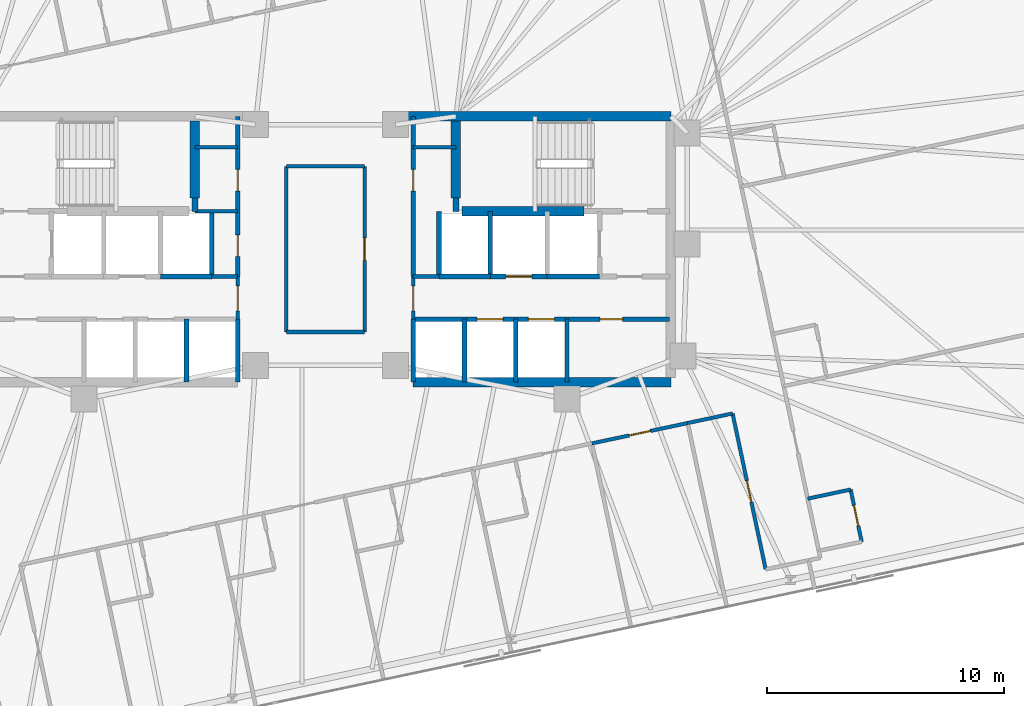
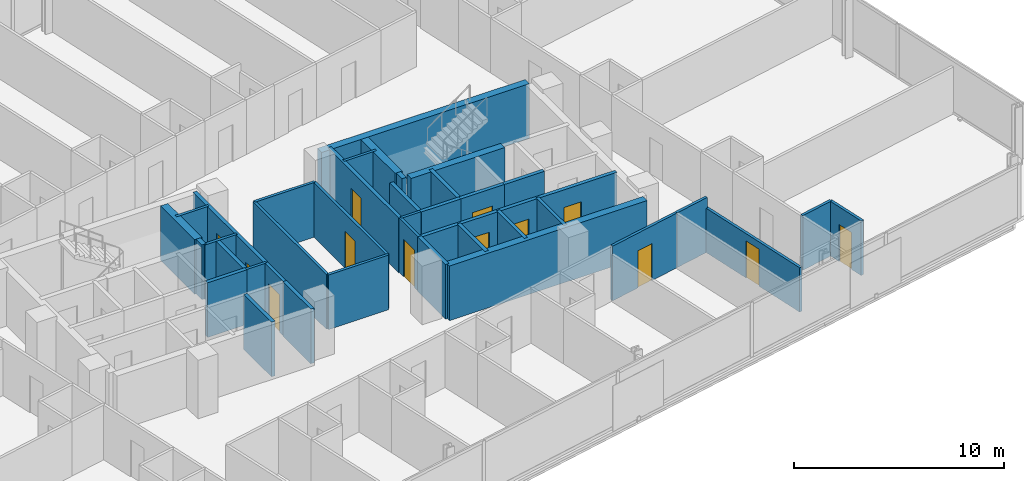
# One storey, part 16 of 20: 39 walls, 13 doors, 13 openings.
"""IFC4 building model written with IfcOpenShell, lengths in metres."""

import ifcopenshell
import ifcopenshell.guid

model = None  # the IFC model being written
_history = None  # IfcOwnerHistory: only IFC2X3 demands one
_inside = {}  # id of a spatial element -> (the spatial element, [elements in it])
_under = {}  # id of a project, library or spatial element -> (it, [spatial elements below it])
_declared = {}  # id of a project -> (the project, [libraries it declares])
_typed = {}  # id of a type object -> (the type object, [elements of that type])
_made_of = {}  # id of a material, layer set ... -> (it, [elements and type objects made of it])


def new_model(schema):
    """Start an empty IFC model of exactly this schema.

    Asked for "IFC4X3", IfcOpenShell would pick the latest addendum, in which some entities
    have other attributes; the version numbers below select the first issue.
    IFC2X3 requires an IfcOwnerHistory on every rooted entity: one is made here for all.
    """
    global model, _history
    if schema == "IFC4X3":
        model = ifcopenshell.file(schema_version=(4, 3, 0, 0))
    else:
        model = ifcopenshell.file(schema=schema)
    _inside.clear()
    _under.clear()
    _declared.clear()
    _typed.clear()
    _made_of.clear()
    _history = None
    if model.schema == "IFC2X3":
        org = make("IfcOrganization", Name="unknown")
        user = make(
            "IfcPersonAndOrganization",
            ThePerson=make("IfcPerson", FamilyName="unknown"),
            TheOrganization=org,
        )
        app = make(
            "IfcApplication",
            ApplicationDeveloper=org,
            Version="unknown",
            ApplicationFullName="unknown",
            ApplicationIdentifier="unknown",
        )
        _history = make(
            "IfcOwnerHistory",
            OwningUser=user,
            OwningApplication=app,
            ChangeAction="ADDED",
            CreationDate=0,
        )
    return model


def make(cls, **values):
    """One entity of the class cls with the attributes given. An attribute that is None is left unset."""
    return model.create_entity(
        cls, **{name: value for name, value in values.items() if value is not None}
    )


def rooted(cls, **values):
    """An entity with a GlobalId (a new one), such as an element, a storey or a relation."""
    return make(cls, GlobalId=ifcopenshell.guid.new(), OwnerHistory=_history, **values)


def si_unit(unit_type, name, prefix=None):
    """IfcSIUnit, for example si_unit("LENGTHUNIT", "METRE", prefix="MILLI")."""
    return make("IfcSIUnit", UnitType=unit_type, Prefix=prefix, Name=name)


def assignment(units):
    """IfcUnitAssignment: the units of a project."""
    return None if units is None else make("IfcUnitAssignment", Units=units)


def point(xyz):
    """IfcCartesianPoint."""
    return None if xyz is None else make("IfcCartesianPoint", Coordinates=xyz)


def direction(xyz):
    """IfcDirection."""
    return None if xyz is None else make("IfcDirection", DirectionRatios=xyz)


def frame(location, z_axis=None, x_axis=None):
    """IfcAxis2Placement3D, a coordinate frame: its origin and axes. An axis left out is left unset."""
    return make(
        "IfcAxis2Placement3D",
        Location=point(location),
        Axis=direction(z_axis),
        RefDirection=direction(x_axis),
    )


def frame_2d(location, x_axis=None):
    """IfcAxis2Placement2D, a coordinate frame in the plane: its origin and x axis."""
    return make(
        "IfcAxis2Placement2D", Location=point(location), RefDirection=direction(x_axis)
    )


def origin():
    """The frame at (0, 0, 0) with its axes left unset."""
    return frame((0.0, 0.0, 0.0))


def place(relative_to, where):
    """IfcLocalPlacement: puts the frame where relative to a parent placement (None: the world)."""
    return make(
        "IfcLocalPlacement", PlacementRelTo=relative_to, RelativePlacement=where
    )


def context(
    kind, dimensions, precision=None, world=None, true_north=None, identifier=None
):
    """IfcGeometricRepresentationContext, for example the 3D "Model" context."""
    return make(
        "IfcGeometricRepresentationContext",
        ContextIdentifier=identifier,
        ContextType=kind,
        CoordinateSpaceDimension=dimensions,
        Precision=precision,
        WorldCoordinateSystem=world,
        TrueNorth=true_north,
    )


def subcontext(parent, identifier, kind, view, scale=None):
    """IfcGeometricRepresentationSubContext, for example "Body" below "Model"."""
    return make(
        "IfcGeometricRepresentationSubContext",
        ContextIdentifier=identifier,
        ContextType=kind,
        ParentContext=parent,
        TargetScale=scale,
        TargetView=view,
    )


def project(units=None, contexts=None):
    """IfcProject with its units and contexts."""
    return rooted(
        "IfcProject",
        Name="project",
        RepresentationContexts=contexts,
        UnitsInContext=assignment(units),
    )


def spatial(cls, under=None, at=None, **own):
    """A site, building, storey or space (cls), placed at a placement, below another one or the project."""
    s = rooted(cls, ObjectPlacement=at, **own)
    if under is not None:
        _under.setdefault(under.id(), (under, []))[1].append(s)
    return s


def profile(cls, at=None, kind="AREA", **sizes):
    """A parametric profile (cls). Its sizes go by their IFC names, for example OverallWidth=200.0."""
    return make(cls, ProfileType=kind, Position=at, **sizes)


def rectangle(**sizes):
    """IfcRectangleProfileDef."""
    return profile("IfcRectangleProfileDef", **sizes)


def extrude(swept, where, along, depth):
    """IfcExtrudedAreaSolid: the profile swept, set in the frame where, extruded along a direction by depth."""
    return make(
        "IfcExtrudedAreaSolid",
        SweptArea=swept,
        Position=where,
        ExtrudedDirection=direction(along),
        Depth=depth,
    )


def shape(context_of_items, identifier, shape_type, items):
    """IfcShapeRepresentation: the items that make up one representation, for example the "Body"."""
    return make(
        "IfcShapeRepresentation",
        ContextOfItems=context_of_items,
        RepresentationIdentifier=identifier,
        RepresentationType=shape_type,
        Items=items,
    )


def material(Name=None, Category=None):
    """IfcMaterial."""
    return make("IfcMaterial", Name=Name, Category=Category)


def layer(
    of_material, thickness, ventilated=None, Name=None, Category=None, Priority=None
):
    """IfcMaterialLayer: one layer of a wall or slab, of a material (None: an air gap)."""
    return make(
        "IfcMaterialLayer",
        Material=of_material,
        LayerThickness=thickness,
        IsVentilated=ventilated,
        Name=Name,
        Category=Category,
        Priority=Priority,
    )


def layer_set(layers, Name=None):
    """IfcMaterialLayerSet."""
    return make("IfcMaterialLayerSet", MaterialLayers=layers, LayerSetName=Name)


def made_of(thing, what):
    """Note that an element or type object is made of a material, layer set ...; save() writes the relation."""
    if what is not None:
        _made_of.setdefault(what.id(), (what, []))[1].append(thing)
    return thing


def type_object(cls, material=None, **own):
    """A type object (cls), such as IfcWallType, which elements share."""
    return made_of(rooted(cls, **own), material)


def element(
    cls,
    number,
    at=None,
    inside=None,
    cuts=None,
    type_object=None,
    material=None,
    context=None,
    identifier="Body",
    shape_type=None,
    held_by="IfcProductDefinitionShape",
    body=None,
    shapes=None,
    **own,
):
    """One element of the class cls, such as IfcWall. Its Tag is "e" and its number.

    at: its placement. inside: the storey or other place that contains it. cuts: it is an
    opening in that element (IfcRelVoidsElement). A single representation is given by context,
    identifier, shape_type and body (its items); several are given by shapes. held_by: the class
    of the entity that holds the representations. save() writes the other relations.
    """
    e = rooted(cls, Tag="e%d" % number, ObjectPlacement=at, **own)
    if body is not None:
        shapes = [shape(context, identifier, shape_type, body)]
    if shapes is not None:
        e.Representation = make(held_by, Representations=shapes)
    if inside is not None:
        _inside.setdefault(inside.id(), (inside, []))[1].append(e)
    if cuts is not None:
        rooted(
            "IfcRelVoidsElement", RelatingBuildingElement=cuts, RelatedOpeningElement=e
        )
    if type_object is not None:
        _typed.setdefault(type_object.id(), (type_object, []))[1].append(e)
    return made_of(e, material)


def fill(opening, filler):
    """IfcRelFillsElement: the door or window that sits in an opening."""
    return rooted(
        "IfcRelFillsElement",
        RelatingOpeningElement=opening,
        RelatedBuildingElement=filler,
    )


def aggregate(whole, parts):
    """IfcRelAggregates: a whole, such as a stair, and the parts it consists of."""
    return rooted("IfcRelAggregates", RelatingObject=whole, RelatedObjects=parts)


def save(model, path):
    """Write the relations noted so far, then the file.

    IfcRelAggregates (storeys below a building ...), IfcRelContainedInSpatialStructure (elements
    in a storey), IfcRelDefinesByType, IfcRelAssociatesMaterial and IfcRelDeclares: one each for
    every whole, place, type object, material and project.
    """
    for whole, parts in _under.values():
        aggregate(whole, parts)
    for where, things in _inside.values():
        rooted(
            "IfcRelContainedInSpatialStructure",
            RelatedElements=things,
            RelatingStructure=where,
        )
    for kind, things in _typed.values():
        rooted("IfcRelDefinesByType", RelatedObjects=things, RelatingType=kind)
    for what, things in _made_of.values():
        rooted("IfcRelAssociatesMaterial", RelatedObjects=things, RelatingMaterial=what)
    for by, libraries in _declared.values():
        rooted("IfcRelDeclares", RelatingContext=by, RelatedDefinitions=libraries)
    model.write(path)


model = new_model("IFC4")

# Units and contexts
model_context = context("Model", 3, precision=1e-05, world=origin(), true_north=direction((0.0, 1.0)))
body_context = subcontext(model_context, "Body", "Model", "MODEL_VIEW")
ifc_project = project(units=[si_unit("LENGTHUNIT", "METRE"), si_unit("AREAUNIT", "SQUARE_METRE"), si_unit("VOLUMEUNIT", "CUBIC_METRE"), si_unit("PLANEANGLEUNIT", "RADIAN"), si_unit("MASSUNIT", "GRAM", prefix="KILO")], contexts=[model_context])

# Site, building, storey
site_placement = place(None, origin())
site = spatial("IfcSite", under=ifc_project, at=site_placement, CompositionType="ELEMENT")
building_placement = place(site_placement, origin())
building = spatial("IfcBuilding", under=site, at=building_placement, Name="Menara Jurai Vektor", CompositionType="ELEMENT")
storey_placement = place(building_placement, frame((0.0, 0.0, 185.39990234375)))
storey = spatial("IfcBuildingStorey", under=building, at=storey_placement, Name="L48", CompositionType="ELEMENT", Elevation=185.39990234375)

# Walls
ifc_material_1 = material(Name="Concrete C40/50", Category="concrete")
ifc_layer_1 = layer(ifc_material_1, 0.25)
ifc_layer_set_1 = layer_set([ifc_layer_1], Name="Concrete C40/50")
wall_type_1 = type_object("IfcWallType", Name="INT-WALL-CORE-250", PredefinedType="STANDARD", material=ifc_layer_set_1)
for number, where, z_axis, x_axis, name in (
    (1, (-5.5, 1.60009765625, 0.0), (0.0, 0.0, 1.0), (0.0, 1.0, 0.0), "Interior Wall IW-250 L48"),
    (2, (5.5, 1.60009765625, 0.0), (0.0, 0.0, 1.0), (0.0, 1.0, 0.0), "Interior Wall IW-250 L48"),
):
    element("IfcWall", number, at=place(storey_placement, frame(where, z_axis=z_axis, x_axis=x_axis)), inside=storey, type_object=wall_type_1, Name=name, PredefinedType="STANDARD", context=body_context, shape_type="SweptSolid", body=[
        extrude(rectangle(XDim=0.5498046875, YDim=0.25, at=frame_2d((0.27490234375, 0.0))), origin(), (0.0, 0.0, 1.0), 3.175048828125),
    ])
wall_1_placement = place(storey_placement, frame((9.35009765625, -1.14990234375, 0.0), z_axis=(0.0, 0.0, 1.0), x_axis=(1.0, 0.0, 0.0)))
element("IfcWall", 3, at=wall_1_placement, inside=storey, type_object=wall_type_1, Name="Interior Wall IW-250 L48", PredefinedType="STANDARD", context=body_context, shape_type="SweptSolid", body=[
    extrude(rectangle(XDim=2.199951171875, YDim=0.199951171875, at=frame_2d((1.10009765625, 0.0))), origin(), (0.0, 0.0, 1.0), 3.175048828125),
])

# Wall, opening, door
ifc_material_2 = material(Name="Gypsum Fireboard Partition", Category="gypsum")
ifc_layer_2 = layer(ifc_material_2, 0.14990234375)
ifc_layer_set_2 = layer_set([ifc_layer_2], Name="Gypsum Fireboard Partition")
wall_type_2 = type_object("IfcWallType", Name="INT-WALL-CORR-150", PredefinedType="PARTITIONING", material=ifc_layer_set_2)
wall_2_placement = place(storey_placement, frame((-3.699951171875, -2.949951171875, 0.0), z_axis=(0.0, 0.0, 1.0), x_axis=(0.0, 1.0, 0.0)))
wall_2 = element("IfcWall", 4, at=wall_2_placement, inside=storey, type_object=wall_type_2, Name="Interior Wall IW-150 L48", PredefinedType="PARTITIONING", context=body_context, shape_type="SweptSolid", body=[
    extrude(rectangle(XDim=1.800048828125, YDim=0.14990234375, at=frame_2d((0.89990234375, 0.0))), origin(), (0.0, 0.0, 1.0), 3.175048828125),
])
opening_1_placement = place(wall_2_placement, frame((0.35009765625, 0.0, 0.0)))
opening_1 = element("IfcOpeningElement", 5, at=opening_1_placement, cuts=wall_2, Name="Opening D-L48-LLW", PredefinedType="OPENING", context=body_context, shape_type="SweptSolid", body=[
    extrude(rectangle(XDim=1.050048828125, YDim=2.179931640625, at=frame_2d((0.52490234375, 1.08984375))), frame((0.0, 0.0849609375, 0.0), z_axis=(0.0, -1.0, 0.0), x_axis=(1.0, 0.0, 0.0)), (0.0, 0.0, 1.0), 0.169921875),
])
ifc_material_3 = material(Name="Fire-Rated Timber Door", Category="wood")
door_type_1 = type_object("IfcDoorType", Name="DR-LOBBY-1050", OperationType="NOTDEFINED", PredefinedType="DOOR", material=ifc_material_3)
door_1_placement = place(opening_1_placement, origin())
door_1 = element("IfcDoor", 6, at=door_1_placement, inside=storey, type_object=door_type_1, Name="Lift Lobby Corridor Door W L48", OperationType="SINGLE_SWING_LEFT", OverallHeight=2.179931640625, OverallWidth=1.050048828125, PredefinedType="DOOR", context=body_context, shape_type="SweptSolid", body=[
    extrude(rectangle(XDim=1.050048828125, YDim=2.179931640625, at=frame_2d((0.52490234375, 1.08984375))), frame((0.0, 0.02490234375, 0.0), z_axis=(0.0, -1.0, 0.0), x_axis=(1.0, 0.0, 0.0)), (0.0, 0.0, 1.0), 0.050048828125),
])
fill(opening_1, door_1)

# Wall
wall_3_placement = place(storey_placement, frame((-4.7900390625, -1.14990234375, 0.0), z_axis=(0.0, 0.0, 1.0), x_axis=(1.0, 0.0, 0.0)))
element("IfcWall", 7, at=wall_3_placement, inside=storey, type_object=wall_type_2, Name="Interior Wall IW-150 L48", PredefinedType="PARTITIONING", context=body_context, shape_type="SweptSolid", body=[
    extrude(rectangle(XDim=1.090087890625, YDim=0.14990234375, at=frame_2d((0.544921875, 0.0))), origin(), (0.0, 0.0, 1.0), 3.175048828125),
])

# Wall, opening, door
wall_4_placement = place(storey_placement, frame((3.699951171875, -2.949951171875, 0.0), z_axis=(0.0, 0.0, 1.0), x_axis=(0.0, 1.0, 0.0)))
wall_4 = element("IfcWall", 8, at=wall_4_placement, inside=storey, type_object=wall_type_2, Name="Interior Wall IW-150 L48", PredefinedType="PARTITIONING", context=body_context, shape_type="SweptSolid", body=[
    extrude(rectangle(XDim=1.800048828125, YDim=0.14990234375, at=frame_2d((0.89990234375, 0.0))), origin(), (0.0, 0.0, 1.0), 3.175048828125),
])
opening_2_placement = place(wall_4_placement, frame((0.35009765625, 0.0, 0.0)))
opening_2 = element("IfcOpeningElement", 9, at=opening_2_placement, cuts=wall_4, Name="Opening D-L48-LLE", PredefinedType="OPENING", context=body_context, shape_type="SweptSolid", body=[
    extrude(rectangle(XDim=1.050048828125, YDim=2.179931640625, at=frame_2d((0.52490234375, 1.08984375))), frame((0.0, 0.0849609375, 0.0), z_axis=(0.0, -1.0, 0.0), x_axis=(1.0, 0.0, 0.0)), (0.0, 0.0, 1.0), 0.169921875),
])
door_2_placement = place(opening_2_placement, frame((1.050048828125, 0.0, 0.0), z_axis=(0.0, 0.0, 1.0), x_axis=(-1.0, 0.0, 0.0)))
door_2 = element("IfcDoor", 10, at=door_2_placement, inside=storey, type_object=door_type_1, Name="Lift Lobby Corridor Door E L48", OperationType="SINGLE_SWING_RIGHT", OverallHeight=2.179931640625, OverallWidth=1.050048828125, PredefinedType="DOOR", context=body_context, shape_type="SweptSolid", body=[
    extrude(rectangle(XDim=1.050048828125, YDim=2.179931640625, at=frame_2d((0.52490234375, 1.08984375))), frame((0.0, 0.02490234375, 0.0), z_axis=(0.0, -1.0, 0.0), x_axis=(1.0, 0.0, 0.0)), (0.0, 0.0, 1.0), 0.050048828125),
])
fill(opening_2, door_2)

# Walls
wall_5_placement = place(storey_placement, frame((3.699951171875, -1.14990234375, 0.0), z_axis=(0.0, 0.0, 1.0), x_axis=(1.0, 0.0, 0.0)))
element("IfcWall", 11, at=wall_5_placement, inside=storey, type_object=wall_type_2, Name="Interior Wall IW-150 L48", PredefinedType="PARTITIONING", context=body_context, shape_type="SweptSolid", body=[
    extrude(rectangle(XDim=1.090087890625, YDim=0.14990234375, at=frame_2d((0.544921875, 0.0))), origin(), (0.0, 0.0, 1.0), 3.175048828125),
])
for number, where, z_axis, x_axis, name in (
    (12, (-5.5, 4.300048828125, 0.0), (0.0, 0.0, 1.0), (1.0, 0.0, 0.0), "Interior Wall IW-150 L48"),
    (13, (-5.5, 1.60009765625, 0.0), (0.0, 0.0, 1.0), (1.0, 0.0, 0.0), "Interior Wall IW-150 L48"),
    (14, (3.699951171875, 4.300048828125, 0.0), (0.0, 0.0, 1.0), (1.0, 0.0, 0.0), "Interior Wall IW-150 L48"),
):
    element("IfcWall", number, at=place(storey_placement, frame(where, z_axis=z_axis, x_axis=x_axis)), inside=storey, type_object=wall_type_2, Name=name, PredefinedType="PARTITIONING", context=body_context, shape_type="SweptSolid", body=[
        extrude(rectangle(XDim=1.800048828125, YDim=0.14990234375, at=frame_2d((0.89990234375, 0.0))), origin(), (0.0, 0.0, 1.0), 3.175048828125),
    ])
wall_6_placement = place(storey_placement, frame((-1.64990234375, -3.489501953125, 0.0), z_axis=(0.0, 0.0, 1.0), x_axis=(-3.4979712e-05, 0.999999999388, 0.0)))
element("IfcWall", 15, at=wall_6_placement, inside=storey, type_object=wall_type_2, Name="Interior Wall IW-150 L48", PredefinedType="PARTITIONING", context=body_context, shape_type="SweptSolid", body=[
    extrude(rectangle(XDim=6.9794921875, YDim=0.14990234375, at=frame_2d((3.48974609375, 0.0))), origin(), (0.0, 0.0, 1.0), 3.175048828125),
])
wall_7_placement = place(storey_placement, frame((-1.64990234375, -3.489501953125, 0.0), z_axis=(0.0, 0.0, 1.0), x_axis=(0.999999975374, -0.000221926315, 0.0)))
element("IfcWall", 16, at=wall_7_placement, inside=storey, type_object=wall_type_2, Name="Interior Wall IW-150 L48", PredefinedType="PARTITIONING", context=body_context, shape_type="SweptSolid", body=[
    extrude(rectangle(XDim=3.30029296875, YDim=0.14990234375, at=frame_2d((1.650146484375, 0.0))), origin(), (0.0, 0.0, 1.0), 3.175048828125),
])
wall_8_placement = place(storey_placement, frame((-1.650146484375, 3.489990234375, 0.0), z_axis=(0.0, 0.0, 1.0), x_axis=(1.0, 0.0, 0.0)))
element("IfcWall", 17, at=wall_8_placement, inside=storey, type_object=wall_type_2, Name="Interior Wall IW-150 L48", PredefinedType="PARTITIONING", context=body_context, shape_type="SweptSolid", body=[
    extrude(rectangle(XDim=3.300048828125, YDim=0.14990234375, at=frame_2d((1.64990234375, 0.0))), origin(), (0.0, 0.0, 1.0), 3.175048828125),
])

# Wall, opening, door
wall_9_placement = place(storey_placement, frame((1.650390625, -3.490234375, 0.0), z_axis=(0.0, 0.0, 1.0), x_axis=(-6.9952083e-05, 0.999999997553, 0.0)))
wall_9 = element("IfcWall", 18, at=wall_9_placement, inside=storey, type_object=wall_type_2, Name="Interior Wall IW-150 L48", PredefinedType="PARTITIONING", context=body_context, shape_type="SweptSolid", body=[
    extrude(rectangle(XDim=6.980224609375, YDim=0.14990234375, at=frame_2d((3.490234375, 0.0))), origin(), (0.0, 0.0, 1.0), 3.175048828125),
])
opening_3_placement = place(wall_9_placement, frame((3.01513671875, 0.0, 0.0)))
opening_3 = element("IfcOpeningElement", 19, at=opening_3_placement, cuts=wall_9, Name="Opening D48-06", PredefinedType="OPENING", context=body_context, shape_type="SweptSolid", body=[
    extrude(rectangle(XDim=0.949951171875, YDim=2.14990234375, at=frame_2d((0.47509765625, 1.074951171875))), frame((0.0, 0.0849609375, 0.0), z_axis=(0.0, -1.0, 0.0), x_axis=(1.0, 0.0, 0.0)), (0.0, 0.0, 1.0), 0.169921875),
])
ifc_material_4 = material(Name="Solid Core Timber Fire Door", Category="wood")
door_type_2 = type_object("IfcDoorType", Name="DR-ENTRY-950", OperationType="NOTDEFINED", PredefinedType="DOOR", material=ifc_material_4)
door_3_placement = place(opening_3_placement, origin())
door_3 = element("IfcDoor", 20, at=door_3_placement, inside=storey, type_object=door_type_2, Name="Interior Door D48-06", OperationType="SINGLE_SWING_LEFT", OverallHeight=2.14990234375, OverallWidth=0.949951171875, PredefinedType="DOOR", context=body_context, shape_type="SweptSolid", body=[
    extrude(rectangle(XDim=0.949951171875, YDim=2.14990234375, at=frame_2d((0.47509765625, 1.074951171875))), frame((0.0, 0.02490234375, 0.0), z_axis=(0.0, -1.0, 0.0), x_axis=(1.0, 0.0, 0.0)), (0.0, 0.0, 1.0), 0.050048828125),
])
fill(opening_3, door_3)

wall_10_placement = place(storey_placement, frame((11.23388671875, -8.185302734375, 0.0), z_axis=(0.0, 0.0, 1.0), x_axis=(0.978155092113, 0.207876443525, 0.0)))
wall_10 = element("IfcWall", 21, at=wall_10_placement, inside=storey, type_object=wall_type_2, Name="Interior Wall IW-150 L48", PredefinedType="PARTITIONING", context=body_context, shape_type="SweptSolid", body=[
    extrude(rectangle(XDim=4.126953125, YDim=0.14990234375, at=frame_2d((2.0634765625, 0.0))), origin(), (0.0, 0.0, 1.0), 3.175048828125),
])
opening_4_placement = place(wall_10_placement, frame((1.603515625, 0.0, 0.0)))
opening_4 = element("IfcOpeningElement", 22, at=opening_4_placement, cuts=wall_10, Name="Opening D48-28", PredefinedType="OPENING", context=body_context, shape_type="SweptSolid", body=[
    extrude(rectangle(XDim=0.919921875, YDim=2.14990234375, at=frame_2d((0.4599609375, 1.074951171875))), frame((0.0, 0.0849609375, 0.0), z_axis=(0.0, -1.0, 0.0), x_axis=(1.0, 0.0, 0.0)), (0.0, 0.0, 1.0), 0.169921875),
])
door_4_placement = place(opening_4_placement, origin())
door_4 = element("IfcDoor", 23, at=door_4_placement, inside=storey, type_object=door_type_2, Name="Interior Door D48-28", OperationType="SINGLE_SWING_LEFT", OverallHeight=2.14990234375, OverallWidth=0.919921875, PredefinedType="DOOR", context=body_context, shape_type="SweptSolid", body=[
    extrude(rectangle(XDim=0.919921875, YDim=2.14990234375, at=frame_2d((0.4599609375, 1.074951171875))), frame((0.0, 0.02490234375, 0.0), z_axis=(0.0, -1.0, 0.0), x_axis=(1.0, 0.0, 0.0)), (0.0, 0.0, 1.0), 0.050048828125),
])
fill(opening_4, door_4)

# Walls
wall_11_placement = place(storey_placement, frame((15.270751953125, -7.327392578125, 0.0), z_axis=(0.0, 0.0, 1.0), x_axis=(0.978150188204, 0.207899517354, 0.0)))
element("IfcWall", 24, at=wall_11_placement, inside=storey, type_object=wall_type_2, Name="Interior Wall IW-150 L48", PredefinedType="PARTITIONING", context=body_context, shape_type="SweptSolid", body=[
    extrude(rectangle(XDim=1.93408203125, YDim=0.14990234375, at=frame_2d((0.967041015625, 0.0))), origin(), (0.0, 0.0, 1.0), 3.175048828125),
])
wall_12_placement = place(storey_placement, frame((20.328125, -10.515380859375, 0.0), z_axis=(0.0, 0.0, 1.0), x_axis=(0.978160192495, 0.207852442415, 0.0)))
element("IfcWall", 25, at=wall_12_placement, inside=storey, type_object=wall_type_2, Name="Interior Wall IW-150 L48", PredefinedType="PARTITIONING", context=body_context, shape_type="SweptSolid", body=[
    extrude(rectangle(XDim=1.849853515625, YDim=0.14990234375, at=frame_2d((0.9248046875, 0.0))), origin(), (0.0, 0.0, 1.0), 3.175048828125),
])

# Wall, opening, door
wall_13_placement = place(storey_placement, frame((22.60546875, -12.331787109375, 0.0), z_axis=(0.0, 0.0, 1.0), x_axis=(-0.207891197838, 0.978151956427, 0.0)))
wall_13 = element("IfcWall", 26, at=wall_13_placement, inside=storey, type_object=wall_type_2, Name="Interior Wall IW-150 L48", PredefinedType="PARTITIONING", context=body_context, shape_type="SweptSolid", body=[
    extrude(rectangle(XDim=2.25, YDim=0.14990234375, at=frame_2d((1.125, 0.0))), origin(), (0.0, 0.0, 1.0), 3.175048828125),
])
opening_5_placement = place(wall_13_placement, frame((0.68505859375, 0.0, 0.0)))
opening_5 = element("IfcOpeningElement", 27, at=opening_5_placement, cuts=wall_13, Name="Opening D48-43", PredefinedType="OPENING", context=body_context, shape_type="SweptSolid", body=[
    extrude(rectangle(XDim=0.8798828125, YDim=2.14990234375, at=frame_2d((0.43994140625, 1.074951171875))), frame((0.0, 0.0849609375, 0.0), z_axis=(0.0, -1.0, 0.0), x_axis=(1.0, 0.0, 0.0)), (0.0, 0.0, 1.0), 0.169921875),
])
ifc_material_5 = material(Name="Moisture-Resistant Timber Door", Category="wood")
door_type_3 = type_object("IfcDoorType", Name="DR-BATH-880", OperationType="NOTDEFINED", PredefinedType="DOOR", material=ifc_material_5)
door_5_placement = place(opening_5_placement, origin())
door_5 = element("IfcDoor", 28, at=door_5_placement, inside=storey, type_object=door_type_3, Name="Interior Door D48-43", OperationType="SINGLE_SWING_RIGHT", OverallHeight=2.14990234375, OverallWidth=0.8798828125, PredefinedType="DOOR", context=body_context, shape_type="SweptSolid", body=[
    extrude(rectangle(XDim=0.8798828125, YDim=2.14990234375, at=frame_2d((0.43994140625, 1.074951171875))), frame((0.0, 0.02490234375, 0.0), z_axis=(0.0, -1.0, 0.0), x_axis=(1.0, 0.0, 0.0)), (0.0, 0.0, 1.0), 0.050048828125),
])
fill(opening_5, door_5)

ifc_layer_3 = layer(ifc_material_2, 0.14990234375)
ifc_layer_set_3 = layer_set([ifc_layer_3], Name="Gypsum Fireboard Partition")
wall_type_3 = type_object("IfcWallType", Name="INT-WALL-CORR-150-H2", PredefinedType="PARTITIONING", material=ifc_layer_set_3)
wall_14_placement = place(storey_placement, frame((18.5595703125, -13.498291015625, 0.0), z_axis=(0.0, 0.0, 1.0), x_axis=(-0.207888737749, 0.978152479278, 0.0)))
wall_14 = element("IfcWall", 29, at=wall_14_placement, inside=storey, type_object=wall_type_3, Name="Interior Wall IW-150 L48", PredefinedType="PARTITIONING", context=body_context, shape_type="SweptSolid", body=[
    extrude(rectangle(XDim=6.7197265625, YDim=0.14990234375, at=frame_2d((3.35986328125, 0.0))), origin(), (0.0, 0.0, 1.0), 2.5751953125),
])
opening_6_placement = place(wall_14_placement, frame((2.89990234375, 0.0, 0.0)))
opening_6 = element("IfcOpeningElement", 30, at=opening_6_placement, cuts=wall_14, Name="Opening D48-29", PredefinedType="OPENING", context=body_context, shape_type="SweptSolid", body=[
    extrude(rectangle(XDim=0.919921875, YDim=2.14990234375, at=frame_2d((0.4599609375, 1.074951171875))), frame((0.0, 0.0849609375, 0.0), z_axis=(0.0, -1.0, 0.0), x_axis=(1.0, 0.0, 0.0)), (0.0, 0.0, 1.0), 0.169921875),
])
door_6_placement = place(opening_6_placement, origin())
door_6 = element("IfcDoor", 31, at=door_6_placement, inside=storey, type_object=door_type_2, Name="Interior Door D48-29", OperationType="SINGLE_SWING_RIGHT", OverallHeight=2.14990234375, OverallWidth=0.919921875, PredefinedType="DOOR", context=body_context, shape_type="SweptSolid", body=[
    extrude(rectangle(XDim=0.919921875, YDim=2.14990234375, at=frame_2d((0.4599609375, 1.074951171875))), frame((0.0, 0.02490234375, 0.0), z_axis=(0.0, -1.0, 0.0), x_axis=(1.0, 0.0, 0.0)), (0.0, 0.0, 1.0), 0.050048828125),
])
fill(opening_6, door_6)

# Wall, openings, doors
ifc_layer_4 = layer(ifc_material_1, 0.199951171875)
ifc_layer_set_4 = layer_set([ifc_layer_4], Name="Concrete C40/50")
wall_type_4 = type_object("IfcWallType", Name="INT-WALL-SHAFT-200", PredefinedType="STANDARD", material=ifc_layer_set_4)
wall_15_placement = place(storey_placement, frame((-3.699951171875, -1.14990234375, 0.0), z_axis=(0.0, 0.0, 1.0), x_axis=(0.0, 1.0, 0.0)))
wall_15 = element("IfcWall", 32, at=wall_15_placement, inside=storey, type_object=wall_type_4, Name="Interior Wall IW-200 L48", PredefinedType="STANDARD", context=body_context, shape_type="SweptSolid", body=[
    extrude(rectangle(XDim=6.75, YDim=0.199951171875, at=frame_2d((3.375, 0.0))), origin(), (0.0, 0.0, 1.0), 3.175048828125),
])
opening_7_placement = place(wall_15_placement, frame((3.60009765625, 0.0, 0.0)))
opening_7 = element("IfcOpeningElement", 33, at=opening_7_placement, cuts=wall_15, Name="Opening D48-02", PredefinedType="OPENING", context=body_context, shape_type="SweptSolid", body=[
    extrude(rectangle(XDim=0.919921875, YDim=2.14990234375, at=frame_2d((0.4599609375, 1.074951171875))), frame((0.0, 0.10986328125, 0.0), z_axis=(0.0, -1.0, 0.0), x_axis=(1.0, 0.0, 0.0)), (0.0, 0.0, 1.0), 0.219970703125),
])
opening_8_placement = place(wall_15_placement, frame((0.85009765625, 0.0, 0.0)))
opening_8 = element("IfcOpeningElement", 34, at=opening_8_placement, cuts=wall_15, Name="Opening D48-03", PredefinedType="OPENING", context=body_context, shape_type="SweptSolid", body=[
    extrude(rectangle(XDim=0.89990234375, YDim=2.14990234375, at=frame_2d((0.449951171875, 1.074951171875))), frame((0.0, 0.10986328125, 0.0), z_axis=(0.0, -1.0, 0.0), x_axis=(1.0, 0.0, 0.0)), (0.0, 0.0, 1.0), 0.219970703125),
])
door_7_placement = place(opening_7_placement, origin())
door_7 = element("IfcDoor", 35, at=door_7_placement, inside=storey, type_object=door_type_2, Name="Interior Door D48-02", OperationType="SINGLE_SWING_LEFT", OverallHeight=2.14990234375, OverallWidth=0.919921875, PredefinedType="DOOR", context=body_context, shape_type="SweptSolid", body=[
    extrude(rectangle(XDim=0.919921875, YDim=2.14990234375, at=frame_2d((0.4599609375, 1.074951171875))), frame((0.0, 0.02490234375, 0.0), z_axis=(0.0, -1.0, 0.0), x_axis=(1.0, 0.0, 0.0)), (0.0, 0.0, 1.0), 0.050048828125),
])
fill(opening_7, door_7)
door_8_placement = place(opening_8_placement, origin())
door_8 = element("IfcDoor", 36, at=door_8_placement, inside=storey, type_object=door_type_2, Name="Interior Door D48-03", OperationType="SINGLE_SWING_LEFT", OverallHeight=2.14990234375, OverallWidth=0.89990234375, PredefinedType="DOOR", context=body_context, shape_type="SweptSolid", body=[
    extrude(rectangle(XDim=0.89990234375, YDim=2.14990234375, at=frame_2d((0.449951171875, 1.074951171875))), frame((0.0, 0.02490234375, 0.0), z_axis=(0.0, -1.0, 0.0), x_axis=(1.0, 0.0, 0.0)), (0.0, 0.0, 1.0), 0.050048828125),
])
fill(opening_8, door_8)

# Walls
wall_16_placement = place(storey_placement, frame((-3.699951171875, -5.60009765625, 0.0), z_axis=(0.0, 0.0, 1.0), x_axis=(0.0, 1.0, 0.0)))
element("IfcWall", 37, at=wall_16_placement, inside=storey, type_object=wall_type_4, Name="Interior Wall IW-200 L48", PredefinedType="STANDARD", context=body_context, shape_type="SweptSolid", body=[
    extrude(rectangle(XDim=2.650146484375, YDim=0.199951171875, at=frame_2d((1.3251953125, 0.0))), origin(), (0.0, 0.0, 1.0), 3.175048828125),
])
wall_17_placement = place(storey_placement, frame((-4.7900390625, -1.14990234375, 0.0), z_axis=(0.0, 0.0, 1.0), x_axis=(0.0, 1.0, 0.0)))
element("IfcWall", 38, at=wall_17_placement, inside=storey, type_object=wall_type_4, Name="Interior Wall IW-200 L48", PredefinedType="STANDARD", context=body_context, shape_type="SweptSolid", body=[
    extrude(rectangle(XDim=2.75, YDim=0.199951171875, at=frame_2d((1.375, 0.0))), origin(), (0.0, 0.0, 1.0), 3.175048828125),
])
wall_18_placement = place(storey_placement, frame((-6.949951171875, -1.14990234375, 0.0), z_axis=(0.0, 0.0, 1.0), x_axis=(1.0, 0.0, 0.0)))
element("IfcWall", 39, at=wall_18_placement, inside=storey, type_object=wall_type_4, Name="Interior Wall IW-200 L48", PredefinedType="STANDARD", context=body_context, shape_type="SweptSolid", body=[
    extrude(rectangle(XDim=2.159912109375, YDim=0.199951171875, at=frame_2d((1.080078125, 0.0))), origin(), (0.0, 0.0, 1.0), 3.175048828125),
])
wall_19_placement = place(storey_placement, frame((-5.860107421875, -5.60009765625, 0.0), z_axis=(0.0, 0.0, 1.0), x_axis=(0.0, 1.0, 0.0)))
element("IfcWall", 40, at=wall_19_placement, inside=storey, type_object=wall_type_4, Name="Interior Wall IW-200 L48", PredefinedType="STANDARD", context=body_context, shape_type="SweptSolid", body=[
    extrude(rectangle(XDim=2.650146484375, YDim=0.199951171875, at=frame_2d((1.3251953125, 0.0))), origin(), (0.0, 0.0, 1.0), 3.175048828125),
])

# Wall, opening, door
wall_20_placement = place(storey_placement, frame((3.699951171875, -1.14990234375, 0.0), z_axis=(0.0, 0.0, 1.0), x_axis=(0.0, 1.0, 0.0)))
wall_20 = element("IfcWall", 41, at=wall_20_placement, inside=storey, type_object=wall_type_4, Name="Interior Wall IW-200 L48", PredefinedType="STANDARD", context=body_context, shape_type="SweptSolid", body=[
    extrude(rectangle(XDim=6.75, YDim=0.199951171875, at=frame_2d((3.375, 0.0))), origin(), (0.0, 0.0, 1.0), 3.175048828125),
])
opening_9_placement = place(wall_20_placement, frame((3.60009765625, 0.0, 0.0)))
opening_9 = element("IfcOpeningElement", 42, at=opening_9_placement, cuts=wall_20, Name="Opening D48-05", PredefinedType="OPENING", context=body_context, shape_type="SweptSolid", body=[
    extrude(rectangle(XDim=0.919921875, YDim=2.14990234375, at=frame_2d((0.4599609375, 1.074951171875))), frame((0.0, 0.10986328125, 0.0), z_axis=(0.0, -1.0, 0.0), x_axis=(1.0, 0.0, 0.0)), (0.0, 0.0, 1.0), 0.219970703125),
])
door_9_placement = place(opening_9_placement, origin())
door_9 = element("IfcDoor", 43, at=door_9_placement, inside=storey, type_object=door_type_2, Name="Interior Door D48-05", OperationType="SINGLE_SWING_RIGHT", OverallHeight=2.14990234375, OverallWidth=0.919921875, PredefinedType="DOOR", context=body_context, shape_type="SweptSolid", body=[
    extrude(rectangle(XDim=0.919921875, YDim=2.14990234375, at=frame_2d((0.4599609375, 1.074951171875))), frame((0.0, 0.02490234375, 0.0), z_axis=(0.0, -1.0, 0.0), x_axis=(1.0, 0.0, 0.0)), (0.0, 0.0, 1.0), 0.050048828125),
])
fill(opening_9, door_9)

# Walls
wall_21_placement = place(storey_placement, frame((3.699951171875, -5.60009765625, 0.0), z_axis=(0.0, 0.0, 1.0), x_axis=(0.0, 1.0, 0.0)))
element("IfcWall", 44, at=wall_21_placement, inside=storey, type_object=wall_type_4, Name="Interior Wall IW-200 L48", PredefinedType="STANDARD", context=body_context, shape_type="SweptSolid", body=[
    extrude(rectangle(XDim=2.650146484375, YDim=0.199951171875, at=frame_2d((1.3251953125, 0.0))), origin(), (0.0, 0.0, 1.0), 3.175048828125),
])
wall_22_placement = place(storey_placement, frame((6.949951171875, -1.14990234375, 0.0), z_axis=(0.0, 0.0, 1.0), x_axis=(0.0, 1.0, 0.0)))
element("IfcWall", 45, at=wall_22_placement, inside=storey, type_object=wall_type_4, Name="Interior Wall IW-200 L48", PredefinedType="STANDARD", context=body_context, shape_type="SweptSolid", body=[
    extrude(rectangle(XDim=2.75, YDim=0.199951171875, at=frame_2d((1.375, 0.0))), origin(), (0.0, 0.0, 1.0), 3.175048828125),
])

# Wall, opening, door
wall_23_placement = place(storey_placement, frame((6.949951171875, -1.14990234375, 0.0), z_axis=(0.0, 0.0, 1.0), x_axis=(1.0, 0.0, 0.0)))
wall_23 = element("IfcWall", 46, at=wall_23_placement, inside=storey, type_object=wall_type_4, Name="Interior Wall IW-200 L48", PredefinedType="STANDARD", context=body_context, shape_type="SweptSolid", body=[
    extrude(rectangle(XDim=2.400146484375, YDim=0.199951171875, at=frame_2d((1.2001953125, 0.0))), origin(), (0.0, 0.0, 1.0), 3.175048828125),
])
opening_10_placement = place(wall_23_placement, frame((0.64990234375, 0.0, 0.0)))
opening_10 = element("IfcOpeningElement", 47, at=opening_10_placement, cuts=wall_23, Name="Opening LD-L48-SVL2", PredefinedType="OPENING", context=body_context, shape_type="SweptSolid", body=[
    extrude(rectangle(XDim=1.10009765625, YDim=2.14990234375, at=frame_2d((0.550048828125, 1.074951171875))), frame((0.0, 0.10986328125, 0.0), z_axis=(0.0, -1.0, 0.0), x_axis=(1.0, 0.0, 0.0)), (0.0, 0.0, 1.0), 0.219970703125),
])
ifc_material_6 = material(Name="Anodised Stainless Sliding Lift Landing Door", Category="steel")
door_type_4 = type_object("IfcDoorType", Name="DR-LIFT-PASS-1100", OperationType="NOTDEFINED", PredefinedType="DOOR", material=ifc_material_6)
door_10_placement = place(opening_10_placement, origin())
door_10 = element("IfcDoor", 48, at=door_10_placement, inside=storey, type_object=door_type_4, Name="Lift Landing Door SVL2 L48", OperationType="SLIDING_TO_RIGHT", OverallHeight=2.14990234375, OverallWidth=1.10009765625, PredefinedType="DOOR", context=body_context, shape_type="SweptSolid", body=[
    extrude(rectangle(XDim=1.10009765625, YDim=2.14990234375, at=frame_2d((0.550048828125, 1.074951171875))), frame((0.0, 0.02490234375, 0.0), z_axis=(0.0, -1.0, 0.0), x_axis=(1.0, 0.0, 0.0)), (0.0, 0.0, 1.0), 0.050048828125),
])
fill(opening_10, door_10)

# Walls
wall_24_placement = place(storey_placement, frame((4.7900390625, -1.14990234375, 0.0), z_axis=(0.0, 0.0, 1.0), x_axis=(0.0, 1.0, 0.0)))
element("IfcWall", 49, at=wall_24_placement, inside=storey, type_object=wall_type_4, Name="Interior Wall IW-200 L48", PredefinedType="STANDARD", context=body_context, shape_type="SweptSolid", body=[
    extrude(rectangle(XDim=2.75, YDim=0.199951171875, at=frame_2d((1.375, 0.0))), origin(), (0.0, 0.0, 1.0), 3.175048828125),
])
wall_25_placement = place(storey_placement, frame((4.7900390625, -1.14990234375, 0.0), z_axis=(0.0, 0.0, 1.0), x_axis=(1.0, 0.0, 0.0)))
element("IfcWall", 50, at=wall_25_placement, inside=storey, type_object=wall_type_4, Name="Interior Wall IW-200 L48", PredefinedType="STANDARD", context=body_context, shape_type="SweptSolid", body=[
    extrude(rectangle(XDim=2.159912109375, YDim=0.199951171875, at=frame_2d((1.080078125, 0.0))), origin(), (0.0, 0.0, 1.0), 3.175048828125),
])

# Wall, openings, doors
wall_26_placement = place(storey_placement, frame((3.699951171875, -2.949951171875, 0.0), z_axis=(0.0, 0.0, 1.0), x_axis=(1.0, 0.0, 0.0)))
wall_26 = element("IfcWall", 51, at=wall_26_placement, inside=storey, type_object=wall_type_4, Name="Interior Wall IW-200 L48", PredefinedType="STANDARD", context=body_context, shape_type="SweptSolid", body=[
    extrude(rectangle(XDim=10.800048828125, YDim=0.199951171875, at=frame_2d((5.39990234375, 0.0))), origin(), (0.0, 0.0, 1.0), 3.175048828125),
])
opening_11_placement = place(wall_26_placement, frame((2.68994140625, 0.0, 0.0)))
opening_11 = element("IfcOpeningElement", 52, at=opening_11_placement, cuts=wall_26, Name="Opening LD-L48-PM3", PredefinedType="OPENING", context=body_context, shape_type="SweptSolid", body=[
    extrude(rectangle(XDim=1.10009765625, YDim=2.14990234375, at=frame_2d((0.550048828125, 1.074951171875))), frame((0.0, 0.10986328125, 0.0), z_axis=(0.0, -1.0, 0.0), x_axis=(1.0, 0.0, 0.0)), (0.0, 0.0, 1.0), 0.219970703125),
])
opening_12_placement = place(wall_26_placement, frame((4.85009765625, 0.0, 0.0)))
opening_12 = element("IfcOpeningElement", 53, at=opening_12_placement, cuts=wall_26, Name="Opening LD-L48-PM4", PredefinedType="OPENING", context=body_context, shape_type="SweptSolid", body=[
    extrude(rectangle(XDim=1.10009765625, YDim=2.14990234375, at=frame_2d((0.550048828125, 1.074951171875))), frame((0.0, 0.10986328125, 0.0), z_axis=(0.0, -1.0, 0.0), x_axis=(1.0, 0.0, 0.0)), (0.0, 0.0, 1.0), 0.219970703125),
])
opening_13_placement = place(wall_26_placement, frame((7.8798828125, 0.0, 0.0)))
opening_13 = element("IfcOpeningElement", 54, at=opening_13_placement, cuts=wall_26, Name="Opening D48-04", PredefinedType="OPENING", context=body_context, shape_type="SweptSolid", body=[
    extrude(rectangle(XDim=0.949951171875, YDim=2.14990234375, at=frame_2d((0.47509765625, 1.074951171875))), frame((0.0, 0.10986328125, 0.0), z_axis=(0.0, -1.0, 0.0), x_axis=(1.0, 0.0, 0.0)), (0.0, 0.0, 1.0), 0.219970703125),
])
door_11_placement = place(opening_13_placement, origin())
door_11 = element("IfcDoor", 55, at=door_11_placement, inside=storey, type_object=door_type_2, Name="Interior Door D48-04", OperationType="SINGLE_SWING_LEFT", OverallHeight=2.14990234375, OverallWidth=0.949951171875, PredefinedType="DOOR", context=body_context, shape_type="SweptSolid", body=[
    extrude(rectangle(XDim=0.949951171875, YDim=2.14990234375, at=frame_2d((0.47509765625, 1.074951171875))), frame((0.0, 0.02490234375, 0.0), z_axis=(0.0, -1.0, 0.0), x_axis=(1.0, 0.0, 0.0)), (0.0, 0.0, 1.0), 0.050048828125),
])
fill(opening_13, door_11)
door_12_placement = place(opening_11_placement, origin())
door_12 = element("IfcDoor", 56, at=door_12_placement, inside=storey, type_object=door_type_4, Name="Lift Landing Door PM3 L48", OperationType="SLIDING_TO_LEFT", OverallHeight=2.14990234375, OverallWidth=1.10009765625, PredefinedType="DOOR", context=body_context, shape_type="SweptSolid", body=[
    extrude(rectangle(XDim=1.10009765625, YDim=2.14990234375, at=frame_2d((0.550048828125, 1.074951171875))), frame((0.0, 0.02490234375, 0.0), z_axis=(0.0, -1.0, 0.0), x_axis=(1.0, 0.0, 0.0)), (0.0, 0.0, 1.0), 0.050048828125),
])
fill(opening_11, door_12)
door_13_placement = place(opening_12_placement, origin())
door_13 = element("IfcDoor", 57, at=door_13_placement, inside=storey, type_object=door_type_4, Name="Lift Landing Door PM4 L48", OperationType="SLIDING_TO_RIGHT", OverallHeight=2.14990234375, OverallWidth=1.10009765625, PredefinedType="DOOR", context=body_context, shape_type="SweptSolid", body=[
    extrude(rectangle(XDim=1.10009765625, YDim=2.14990234375, at=frame_2d((0.550048828125, 1.074951171875))), frame((0.0, 0.02490234375, 0.0), z_axis=(0.0, -1.0, 0.0), x_axis=(1.0, 0.0, 0.0)), (0.0, 0.0, 1.0), 0.050048828125),
])
fill(opening_12, door_13)

# Walls
wall_27_placement = place(storey_placement, frame((5.860107421875, -5.60009765625, 0.0), z_axis=(0.0, 0.0, 1.0), x_axis=(0.0, 1.0, 0.0)))
element("IfcWall", 58, at=wall_27_placement, inside=storey, type_object=wall_type_4, Name="Interior Wall IW-200 L48", PredefinedType="STANDARD", context=body_context, shape_type="SweptSolid", body=[
    extrude(rectangle(XDim=2.650146484375, YDim=0.199951171875, at=frame_2d((1.3251953125, 0.0))), origin(), (0.0, 0.0, 1.0), 3.175048828125),
])
for number, where, z_axis, x_axis, name in (
    (59, (10.179931640625, -5.60009765625, 0.0), (0.0, 0.0, 1.0), (0.0, 1.0, 0.0), "Interior Wall IW-200 L48"),
    (60, (8.02001953125, -5.60009765625, 0.0), (0.0, 0.0, 1.0), (0.0, 1.0, 0.0), "Interior Wall IW-200 L48"),
):
    element("IfcWall", number, at=place(storey_placement, frame(where, z_axis=z_axis, x_axis=x_axis)), inside=storey, type_object=wall_type_4, Name=name, PredefinedType="STANDARD", context=body_context, shape_type="SweptSolid", body=[
        extrude(rectangle(XDim=2.650146484375, YDim=0.179931640625, at=frame_2d((1.3251953125, 0.0))), origin(), (0.0, 0.0, 1.0), 3.175048828125),
    ])
ifc_material_7 = material(Name="Concrete C50/60", Category="concrete")
ifc_layer_5 = layer(ifc_material_7, 0.39990234375)
ifc_layer_set_5 = layer_set([ifc_layer_5], Name="Concrete C50/60")
wall_type_5 = type_object("IfcWallType", Name="STR-WALL-CORE400", PredefinedType="SHEAR", material=ifc_layer_set_5)
wall_28_placement = place(storey_placement, frame((-5.5, 2.14990234375, 0.0), z_axis=(0.0, 0.0, 1.0), x_axis=(0.0, 1.0, 0.0)))
element("IfcWall", 61, at=wall_28_placement, inside=storey, type_object=wall_type_5, Name="Core Shear Wall CW-W-ST L48", PredefinedType="SHEAR", context=body_context, shape_type="SweptSolid", body=[
    extrude(rectangle(XDim=3.25, YDim=0.39990234375, at=frame_2d((1.625, 0.0))), origin(), (0.0, 0.0, 1.0), 3.175048828125),
])
wall_29_placement = place(storey_placement, frame((3.14990234375, 5.60009765625, 0.0), z_axis=(0.0, 0.0, 1.0), x_axis=(1.0, 0.0, 0.0)))
element("IfcWall", 62, at=wall_29_placement, inside=storey, type_object=wall_type_5, Name="Core Shear Wall CW-E-N L48", PredefinedType="SHEAR", context=body_context, shape_type="SweptSolid", body=[
    extrude(rectangle(XDim=11.41015625, YDim=0.39990234375, at=frame_2d((5.705078125, 0.0))), origin(), (0.0, 0.0, 1.0), 3.175048828125),
])
wall_30_placement = place(storey_placement, frame((3.699951171875, -5.60009765625, 0.0), z_axis=(0.0, 0.0, 1.0), x_axis=(1.0, 0.0, 0.0)))
element("IfcWall", 63, at=wall_30_placement, inside=storey, type_object=wall_type_5, Name="Core Shear Wall CW-E-S L48", PredefinedType="SHEAR", context=body_context, shape_type="SweptSolid", body=[
    extrude(rectangle(XDim=10.860107421875, YDim=0.39990234375, at=frame_2d((5.43017578125, 0.0))), origin(), (0.0, 0.0, 1.0), 3.175048828125),
])
wall_31_placement = place(storey_placement, frame((5.5, 2.14990234375, 0.0), z_axis=(0.0, 0.0, 1.0), x_axis=(0.0, 1.0, 0.0)))
element("IfcWall", 64, at=wall_31_placement, inside=storey, type_object=wall_type_5, Name="Core Shear Wall CW-E-ST L48", PredefinedType="SHEAR", context=body_context, shape_type="SweptSolid", body=[
    extrude(rectangle(XDim=3.25, YDim=0.39990234375, at=frame_2d((1.625, 0.0))), origin(), (0.0, 0.0, 1.0), 3.175048828125),
])
wall_32_placement = place(storey_placement, frame((5.75, 1.60009765625, 0.0), z_axis=(0.0, 0.0, 1.0), x_axis=(1.0, 0.0, 0.0)))
element("IfcWall", 65, at=wall_32_placement, inside=storey, type_object=wall_type_5, Name="Core Shear Wall CW-E-STS L48", PredefinedType="SHEAR", context=body_context, shape_type="SweptSolid", body=[
    extrude(rectangle(XDim=5.14990234375, YDim=0.39990234375, at=frame_2d((2.574951171875, 0.0))), origin(), (0.0, 0.0, 1.0), 3.175048828125),
])

save(model, "model.ifc")
